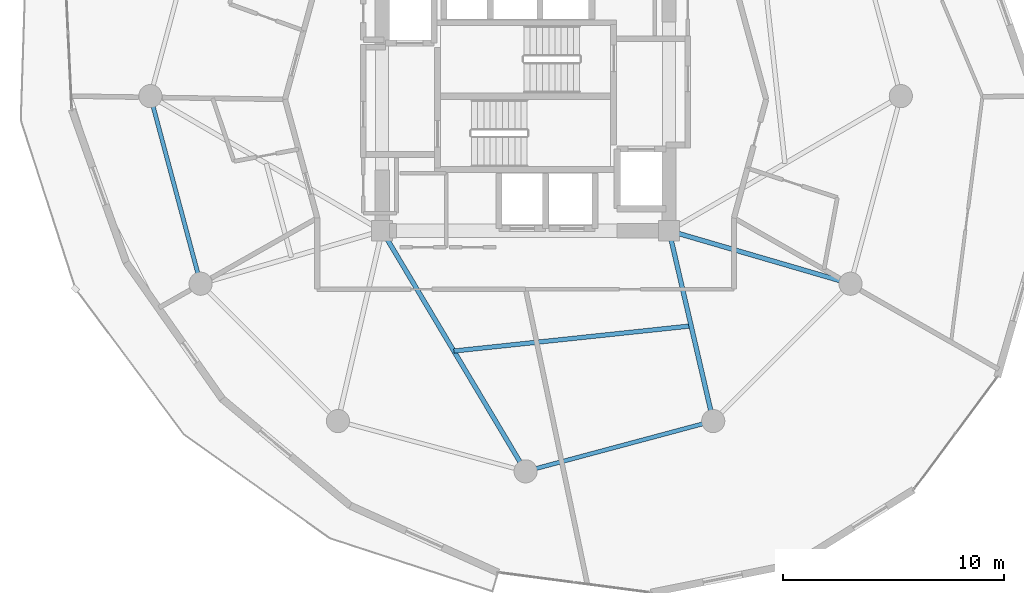
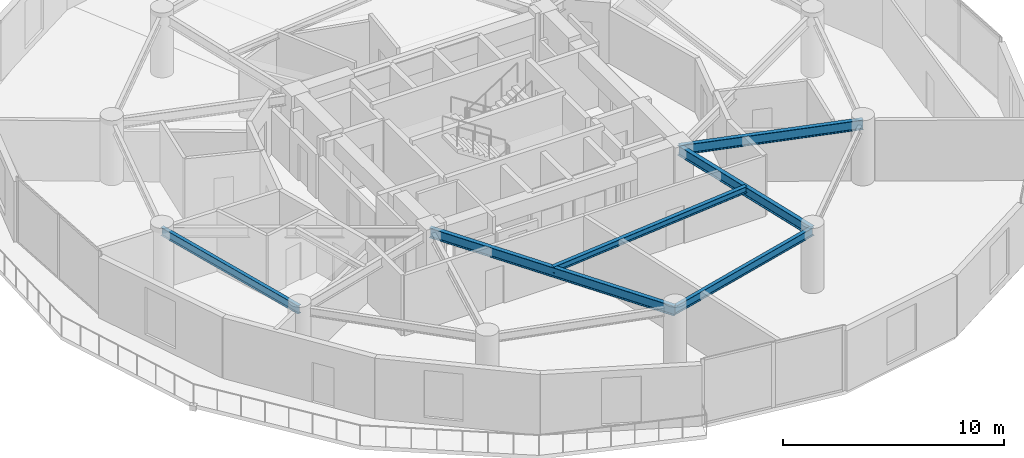
# One storey, part 3 of 22: 6 beams.
"""IFC4 building model written with IfcOpenShell, lengths in metres."""

from ifc_helpers import new_model, si_unit, direction, frame, origin, origin_2d, place, context, subcontext, project, spatial, i_section, extrude, material, material_profile, profile_set, type_object, element, save


model = new_model("IFC4")

# Units and contexts
model_context = context("Model", 3, precision=1e-05, world=origin(), true_north=direction((0.0, 1.0)))
body_context = subcontext(model_context, "Body", "Model", "MODEL_VIEW")
ifc_project = project(units=[si_unit("LENGTHUNIT", "METRE"), si_unit("AREAUNIT", "SQUARE_METRE"), si_unit("VOLUMEUNIT", "CUBIC_METRE"), si_unit("PLANEANGLEUNIT", "RADIAN"), si_unit("MASSUNIT", "GRAM", prefix="KILO")], contexts=[model_context])

# Site, building, storey
site_placement = place(None, origin())
site = spatial("IfcSite", under=ifc_project, at=site_placement, CompositionType="ELEMENT")
building_placement = place(site_placement, origin())
building = spatial("IfcBuilding", under=site, at=building_placement, Name="Solvirekh Grand Hotel", CompositionType="ELEMENT")
storey_placement = place(building_placement, frame((0.0, 0.0, 153.0)))
storey = spatial("IfcBuildingStorey", under=building, at=storey_placement, Name="L39", CompositionType="ELEMENT", Elevation=153.0)

# Beams
ifc_material = material(Name="Steel S355", Category="steel")
ifc_material_profile_1 = material_profile(ifc_material, i_section(OverallWidth=0.2119140625, OverallDepth=0.5439453125, WebThickness=0.011962890625, FlangeThickness=0.01904296875, FilletRadius=0.013916015625, at=origin_2d()), Name="W530X123")
ifc_profile_set_1 = profile_set([ifc_material_profile_1], Name="Steel S355")
beam_type_1 = type_object("IfcBeamType", Name="Beam_Radial_W530H", PredefinedType="BEAM", material=ifc_profile_set_1)
beam_1_placement = place(storey_placement, frame((-6.5, -6.10009765625, 3.077880859375), z_axis=(0.512179721377, -0.858878299301, 0.0), x_axis=(0.858878299301, 0.512179721377, 0.0)))
element("IfcBeam", 1, at=beam_1_placement, inside=storey, type_object=beam_type_1, Name="L39 radial floor beam R10", PredefinedType="BEAM", context=body_context, shape_type="SweptSolid", body=[
    extrude(i_section(OverallWidth=0.2119140625, OverallDepth=0.5439453125, WebThickness=0.011962890625, FlangeThickness=0.01904296875, FilletRadius=0.013916015625, at=origin_2d()), origin(), (0.0, 0.0, 1.0), 12.69091796875),
])
beam_2_placement = place(storey_placement, frame((6.5, -6.10009765625, 3.077880859375), z_axis=(0.225969390542, -0.974134402707, 0.0), x_axis=(0.974134402707, 0.225969390542, 0.0)))
element("IfcBeam", 2, at=beam_2_placement, inside=storey, type_object=beam_type_1, Name="L39 radial floor beam R11", PredefinedType="BEAM", context=body_context, shape_type="SweptSolid", body=[
    extrude(i_section(OverallWidth=0.2119140625, OverallDepth=0.5439453125, WebThickness=0.011962890625, FlangeThickness=0.01904296875, FilletRadius=0.013916015625, at=origin_2d()), origin(), (0.0, 0.0, 1.0), 8.850830078125),
])
beam_3_placement = place(storey_placement, frame((6.5, -6.10009765625, 3.077880859375), z_axis=(0.959942195467, -0.28019811092, 0.0), x_axis=(0.28019811092, 0.959942195467, 0.0)))
element("IfcBeam", 3, at=beam_3_placement, inside=storey, type_object=beam_type_1, Name="L39 radial floor beam R12", PredefinedType="BEAM", context=body_context, shape_type="SweptSolid", body=[
    extrude(i_section(OverallWidth=0.2119140625, OverallDepth=0.5439453125, WebThickness=0.011962890625, FlangeThickness=0.01904296875, FilletRadius=0.013916015625, at=origin_2d()), origin(), (0.0, 0.0, 1.0), 8.56494140625),
])
ifc_material_profile_2 = material_profile(ifc_material, i_section(OverallWidth=0.2041015625, OverallDepth=0.35009765625, WebThickness=0.009033203125, FlangeThickness=0.014892578125, FilletRadius=0.010986328125, at=origin_2d()), Name="W360X72")
ifc_profile_set_2 = profile_set([ifc_material_profile_2], Name="Steel S355")
beam_type_2 = type_object("IfcBeamType", Name="Joist_Floor_W360", PredefinedType="JOIST", material=ifc_profile_set_2)
beam_4_placement = place(storey_placement, frame((-3.25, -11.550048828125, 3.175048828125), z_axis=(0.994432198761, 0.105378375714, 0.0), x_axis=(-0.105378375714, 0.994432198761, 0.0)))
element("IfcBeam", 4, at=beam_4_placement, inside=storey, type_object=beam_type_2, Name="L39 secondary composite floor joist 10", PredefinedType="JOIST", context=body_context, shape_type="SweptSolid", body=[
    extrude(i_section(OverallWidth=0.2041015625, OverallDepth=0.35009765625, WebThickness=0.009033203125, FlangeThickness=0.014892578125, FilletRadius=0.010986328125, at=origin_2d()), origin(), (0.0, 0.0, 1.0), 10.810302734375),
])
ifc_material_profile_3 = material_profile(ifc_material, i_section(OverallWidth=0.18994140625, OverallDepth=0.45703125, WebThickness=0.009033203125, FlangeThickness=0.013916015625, FilletRadius=0.012939453125, at=origin_2d()), Name="W460X74")
ifc_profile_set_3 = profile_set([ifc_material_profile_3], Name="Steel S355")
beam_type_3 = type_object("IfcBeamType", Name="Spandrel_Ring_W460", PredefinedType="SPANDREL", material=ifc_profile_set_3)
for number, where, z_axis, x_axis, name in (
    (5, (-17.0, 0.0, 3.12109375), (0.258872908946, -0.965911391906, 0.0), (0.965911391906, 0.258872908946, 0.0), "L39 perimeter spandrel beam 7"),
    (6, (0.0, -17.0, 3.12109375), (0.965911391906, 0.258872908946, 0.0), (-0.258872908946, 0.965911391906, 0.0), "L39 perimeter spandrel beam 10"),
):
    element("IfcBeam", number, at=place(storey_placement, frame(where, z_axis=z_axis, x_axis=x_axis)), inside=storey, type_object=beam_type_3, Name=name, PredefinedType="SPANDREL", context=body_context, shape_type="SweptSolid", body=[
        extrude(i_section(OverallWidth=0.18994140625, OverallDepth=0.45703125, WebThickness=0.009033203125, FlangeThickness=0.013916015625, FilletRadius=0.012939453125, at=origin_2d()), origin(), (0.0, 0.0, 1.0), 8.800048828125),
    ])

save(model, "model.ifc")
